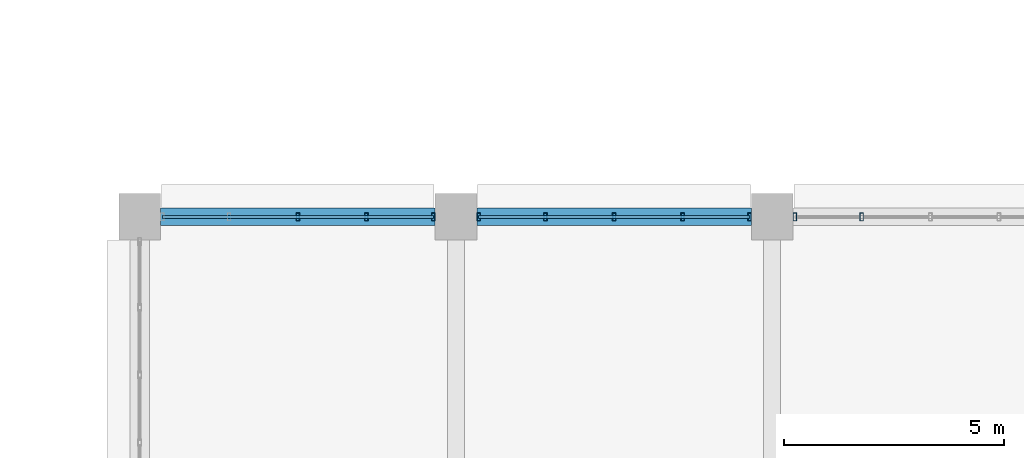
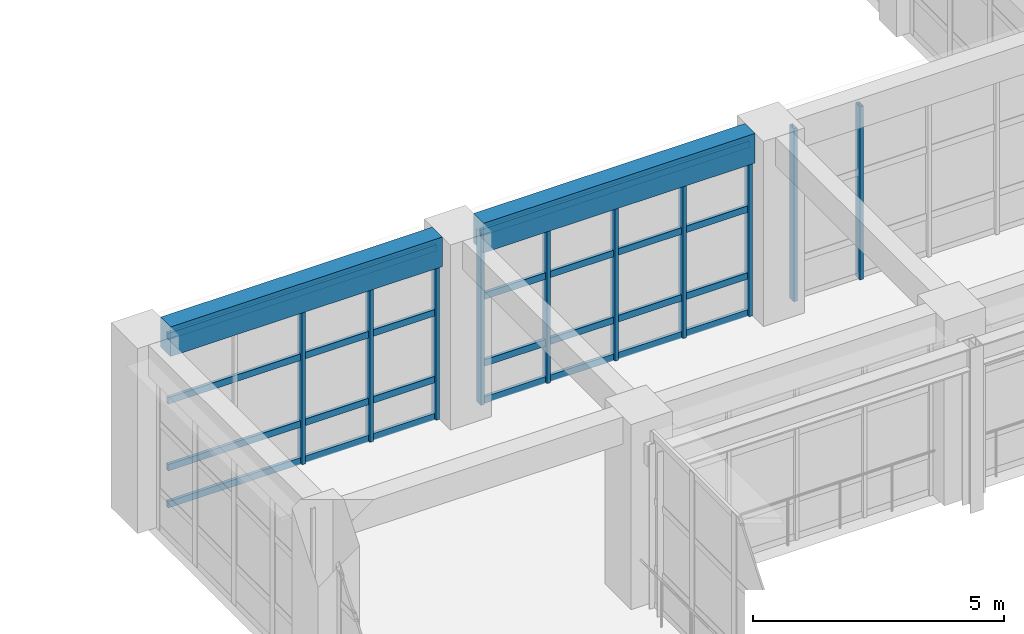
# One storey, part 46 of 171: 18 members, 2 beams, 3 elements without a shape of their own.
"""IFC4 building model written with IfcOpenShell, lengths in metres."""

from ifc_helpers import new_model, si_unit, direction, frame, origin, origin_2d, place, context, subcontext, project, spatial, rectangle, hollow_rectangle, extrude, material, material_profile, profile_set, type_object, element, aggregate, save


model = new_model("IFC4")

# Units and contexts
model_context = context("Model", 3, precision=1e-05, world=origin(), true_north=direction((0.0, 1.0)))
body_context = subcontext(model_context, "Body", "Model", "MODEL_VIEW")
ifc_project = project(units=[si_unit("LENGTHUNIT", "METRE"), si_unit("AREAUNIT", "SQUARE_METRE"), si_unit("VOLUMEUNIT", "CUBIC_METRE"), si_unit("PLANEANGLEUNIT", "RADIAN"), si_unit("MASSUNIT", "GRAM", prefix="KILO")], contexts=[model_context])

# Site, building, storey
site_placement = place(None, origin())
site = spatial("IfcSite", under=ifc_project, at=site_placement, CompositionType="ELEMENT")
building_placement = place(site_placement, origin())
building = spatial("IfcBuilding", under=site, at=building_placement, Name="Thalmaran Polytechnic", CompositionType="ELEMENT")
storey_placement = place(building_placement, frame((0.0, 0.0, 5.39990234375)))
storey = spatial("IfcBuildingStorey", under=building, at=storey_placement, Name="L01", CompositionType="ELEMENT", Elevation=5.39990234375)

# Beams
ifc_material_1 = material(Name="Concrete C40/50", Category="concrete")
ifc_material_profile_1 = material_profile(ifc_material_1, rectangle(XDim=0.39990234375, YDim=0.719970703125, at=origin_2d()), Name="RC 400x720")
ifc_profile_set_1 = profile_set([ifc_material_profile_1], Name="Concrete C40/50")
beam_type = type_object("IfcBeamType", Name="BM-SP01", PredefinedType="SPANDREL", material=ifc_profile_set_1)
for number, where, z_axis, x_axis, name in (
    (1, (108.47509765625, 57.60009765625, 4.14013671875), (1.0, 0.0, 0.0), (0.0, 1.0, 0.0), "Grid Beam SP01 L01 X(15,8)"),
    (2, (115.675048828125, 57.60009765625, 4.14013671875), (1.0, 0.0, 0.0), (0.0, 1.0, 0.0), "Grid Beam SP01 L01 X(16,8)"),
):
    element("IfcBeam", number, at=place(storey_placement, frame(where, z_axis=z_axis, x_axis=x_axis)), inside=storey, type_object=beam_type, Name=name, PredefinedType="SPANDREL", context=body_context, shape_type="SweptSolid", body=[
        extrude(rectangle(XDim=0.39990234375, YDim=0.719970703125, at=origin_2d()), origin(), (0.0, 0.0, 1.0), 6.25),
    ])

# Curtain wall, members
ifc_material_2 = material(Name="Aluminium 6063-T6", Category="aluminium")
curtain_wall_type = type_object("IfcCurtainWallType", Name="CW-UC02", PredefinedType="USERDEFINED", material=ifc_material_2)
curtain_wall_1_placement = place(storey_placement, origin())
curtain_wall_1 = element("IfcCurtainWall", 3, at=curtain_wall_1_placement, inside=storey, type_object=curtain_wall_type, Name="Curtain Wall CW-L01-177", ObjectType="UNITISED CURTAIN WALL", PredefinedType="USERDEFINED")
ifc_material_profile_2 = material_profile(ifc_material_2, hollow_rectangle(XDim=0.080078125, YDim=0.179931640625, WallThickness=0.0048828125, at=origin_2d()), Name="RHS 180x80x5.0")
ifc_profile_set_2 = profile_set([ifc_material_profile_2], Name="Aluminium 6063-T6")
member_type_1 = type_object("IfcMemberType", Name="CW-MUL1", PredefinedType="MULLION", material=ifc_profile_set_2)
member_1_placement = place(storey_placement, frame((111.60009765625, 57.60009765625, 0.0), z_axis=(0.0, 0.0, 1.0), x_axis=(1.0, 0.0, 0.0)))
member_1 = element("IfcMember", 4, at=member_1_placement, type_object=member_type_1, Name="CW-L01-177 Mullion 3", PredefinedType="MULLION", context=body_context, shape_type="SweptSolid", body=[
    extrude(hollow_rectangle(XDim=0.080078125, YDim=0.179931640625, WallThickness=0.0048828125, at=origin_2d()), origin(), (0.0, 0.0, 1.0), 4.210205078125),
])
member_2_placement = place(storey_placement, frame((113.16259765625, 57.60009765625, 0.0), z_axis=(0.0, 0.0, 1.0), x_axis=(1.0, 0.0, 0.0)))
member_2 = element("IfcMember", 5, at=member_2_placement, type_object=member_type_1, Name="CW-L01-177 Mullion 4", PredefinedType="MULLION", context=body_context, shape_type="SweptSolid", body=[
    extrude(hollow_rectangle(XDim=0.080078125, YDim=0.179931640625, WallThickness=0.0048828125, at=origin_2d()), origin(), (0.0, 0.0, 1.0), 4.210205078125),
])
member_3_placement = place(storey_placement, frame((114.68505859375, 57.60009765625, 0.0), z_axis=(0.0, 0.0, 1.0), x_axis=(1.0, 0.0, 0.0)))
member_3 = element("IfcMember", 6, at=member_3_placement, type_object=member_type_1, Name="CW-L01-177 Mullion 5", PredefinedType="MULLION", context=body_context, shape_type="SweptSolid", body=[
    extrude(hollow_rectangle(XDim=0.080078125, YDim=0.179931640625, WallThickness=0.0048828125, at=origin_2d()), origin(), (0.0, 0.0, 1.0), 4.210205078125),
])

curtain_wall_2_placement = place(storey_placement, origin())
curtain_wall_2 = element("IfcCurtainWall", 7, at=curtain_wall_2_placement, inside=storey, type_object=curtain_wall_type, Name="Curtain Wall CW-L01-178", ObjectType="UNITISED CURTAIN WALL", PredefinedType="USERDEFINED")
member_4_placement = place(storey_placement, frame((115.715087890625, 57.60009765625, 0.0), z_axis=(0.0, 0.0, 1.0), x_axis=(1.0, 0.0, 0.0)))
member_4 = element("IfcMember", 8, at=member_4_placement, type_object=member_type_1, Name="CW-L01-178 Mullion 1", PredefinedType="MULLION", context=body_context, shape_type="SweptSolid", body=[
    extrude(hollow_rectangle(XDim=0.080078125, YDim=0.179931640625, WallThickness=0.0048828125, at=origin_2d()), origin(), (0.0, 0.0, 1.0), 4.210205078125),
])
member_5_placement = place(storey_placement, frame((117.237548828125, 57.60009765625, 0.0), z_axis=(0.0, 0.0, 1.0), x_axis=(1.0, 0.0, 0.0)))
member_5 = element("IfcMember", 9, at=member_5_placement, type_object=member_type_1, Name="CW-L01-178 Mullion 2", PredefinedType="MULLION", context=body_context, shape_type="SweptSolid", body=[
    extrude(hollow_rectangle(XDim=0.080078125, YDim=0.179931640625, WallThickness=0.0048828125, at=origin_2d()), origin(), (0.0, 0.0, 1.0), 4.210205078125),
])
member_6_placement = place(storey_placement, frame((118.800048828125, 57.60009765625, 0.0), z_axis=(0.0, 0.0, 1.0), x_axis=(1.0, 0.0, 0.0)))
member_6 = element("IfcMember", 10, at=member_6_placement, type_object=member_type_1, Name="CW-L01-178 Mullion 3", PredefinedType="MULLION", context=body_context, shape_type="SweptSolid", body=[
    extrude(hollow_rectangle(XDim=0.080078125, YDim=0.179931640625, WallThickness=0.0048828125, at=origin_2d()), origin(), (0.0, 0.0, 1.0), 4.210205078125),
])
member_7_placement = place(storey_placement, frame((120.362548828125, 57.60009765625, 0.0), z_axis=(0.0, 0.0, 1.0), x_axis=(1.0, 0.0, 0.0)))
member_7 = element("IfcMember", 11, at=member_7_placement, type_object=member_type_1, Name="CW-L01-178 Mullion 4", PredefinedType="MULLION", context=body_context, shape_type="SweptSolid", body=[
    extrude(hollow_rectangle(XDim=0.080078125, YDim=0.179931640625, WallThickness=0.0048828125, at=origin_2d()), origin(), (0.0, 0.0, 1.0), 4.210205078125),
])
member_8_placement = place(storey_placement, frame((121.885009765625, 57.60009765625, 0.0), z_axis=(0.0, 0.0, 1.0), x_axis=(1.0, 0.0, 0.0)))
member_8 = element("IfcMember", 12, at=member_8_placement, type_object=member_type_1, Name="CW-L01-178 Mullion 5", PredefinedType="MULLION", context=body_context, shape_type="SweptSolid", body=[
    extrude(hollow_rectangle(XDim=0.080078125, YDim=0.179931640625, WallThickness=0.0048828125, at=origin_2d()), origin(), (0.0, 0.0, 1.0), 4.210205078125),
])

curtain_wall_3_placement = place(storey_placement, origin())
curtain_wall_3 = element("IfcCurtainWall", 13, at=curtain_wall_3_placement, inside=storey, type_object=curtain_wall_type, Name="Curtain Wall CW-L01-179", ObjectType="UNITISED CURTAIN WALL", PredefinedType="USERDEFINED")
member_9_placement = place(storey_placement, frame((122.9150390625, 57.60009765625, 0.0), z_axis=(0.0, 0.0, 1.0), x_axis=(1.0, 0.0, 0.0)))
member_9 = element("IfcMember", 14, at=member_9_placement, type_object=member_type_1, Name="CW-L01-179 Mullion 1", PredefinedType="MULLION", context=body_context, shape_type="SweptSolid", body=[
    extrude(hollow_rectangle(XDim=0.080078125, YDim=0.179931640625, WallThickness=0.0048828125, at=origin_2d()), origin(), (0.0, 0.0, 1.0), 4.210205078125),
])
member_10_placement = place(storey_placement, frame((124.4375, 57.60009765625, 0.0), z_axis=(0.0, 0.0, 1.0), x_axis=(1.0, 0.0, 0.0)))
member_10 = element("IfcMember", 15, at=member_10_placement, type_object=member_type_1, Name="CW-L01-179 Mullion 2", PredefinedType="MULLION", context=body_context, shape_type="SweptSolid", body=[
    extrude(hollow_rectangle(XDim=0.080078125, YDim=0.179931640625, WallThickness=0.0048828125, at=origin_2d()), origin(), (0.0, 0.0, 1.0), 4.210205078125),
])
aggregate(curtain_wall_3, [member_9, member_10])

# Member
ifc_material_profile_3 = material_profile(ifc_material_2, hollow_rectangle(XDim=0.070068359375, YDim=0.159912109375, WallThickness=0.00390625, at=origin_2d()), Name="AL 160x70x4.0")
ifc_profile_set_3 = profile_set([ifc_material_profile_3], Name="Aluminium 6063-T6")
member_type_2 = type_object("IfcMemberType", Name="CW-TRN1", PredefinedType="USERDEFINED", material=ifc_profile_set_3)
member_11_placement = place(storey_placement, frame((108.514892578125, 57.60009765625, 0.06005859375), z_axis=(1.0, 0.0, 0.0), x_axis=(0.0, 1.0, 0.0)))
member_11 = element("IfcMember", 16, at=member_11_placement, type_object=member_type_2, Name="CW-L01-177 Transom 1", ObjectType="TRANSOM", PredefinedType="USERDEFINED", context=body_context, shape_type="SweptSolid", body=[
    extrude(hollow_rectangle(XDim=0.070068359375, YDim=0.159912109375, WallThickness=0.00390625, at=origin_2d()), origin(), (0.0, 0.0, 1.0), 6.170166015625),
])

member_12_placement = place(storey_placement, frame((108.514892578125, 57.60009765625, 0.960205078125), z_axis=(1.0, 0.0, 0.0), x_axis=(0.0, 1.0, 0.0)))
member_12 = element("IfcMember", 17, at=member_12_placement, type_object=member_type_2, Name="CW-L01-177 Transom 2", ObjectType="TRANSOM", PredefinedType="USERDEFINED", context=body_context, shape_type="SweptSolid", body=[
    extrude(hollow_rectangle(XDim=0.070068359375, YDim=0.159912109375, WallThickness=0.00390625, at=origin_2d()), origin(), (0.0, 0.0, 1.0), 6.170166015625),
])

member_13_placement = place(storey_placement, frame((108.514892578125, 57.60009765625, 2.585205078125), z_axis=(1.0, 0.0, 0.0), x_axis=(0.0, 1.0, 0.0)))
member_13 = element("IfcMember", 18, at=member_13_placement, type_object=member_type_2, Name="CW-L01-177 Transom 3", ObjectType="TRANSOM", PredefinedType="USERDEFINED", context=body_context, shape_type="SweptSolid", body=[
    extrude(hollow_rectangle(XDim=0.070068359375, YDim=0.159912109375, WallThickness=0.00390625, at=origin_2d()), origin(), (0.0, 0.0, 1.0), 6.170166015625),
])

member_14_placement = place(storey_placement, frame((108.514892578125, 57.60009765625, 4.150146484375), z_axis=(1.0, 0.0, 0.0), x_axis=(0.0, 1.0, 0.0)))
member_14 = element("IfcMember", 19, at=member_14_placement, type_object=member_type_2, Name="CW-L01-177 Transom 4", ObjectType="TRANSOM", PredefinedType="USERDEFINED", context=body_context, shape_type="SweptSolid", body=[
    extrude(hollow_rectangle(XDim=0.070068359375, YDim=0.159912109375, WallThickness=0.00390625, at=origin_2d()), origin(), (0.0, 0.0, 1.0), 6.170166015625),
])

aggregate(curtain_wall_1, [member_1, member_2, member_3, member_11, member_12, member_13, member_14])

member_15_placement = place(storey_placement, frame((115.715087890625, 57.60009765625, 0.06005859375), z_axis=(1.0, 0.0, 0.0), x_axis=(0.0, 1.0, 0.0)))
member_15 = element("IfcMember", 20, at=member_15_placement, type_object=member_type_2, Name="CW-L01-178 Transom 1", ObjectType="TRANSOM", PredefinedType="USERDEFINED", context=body_context, shape_type="SweptSolid", body=[
    extrude(hollow_rectangle(XDim=0.070068359375, YDim=0.159912109375, WallThickness=0.00390625, at=origin_2d()), origin(), (0.0, 0.0, 1.0), 6.169921875),
])

member_16_placement = place(storey_placement, frame((115.715087890625, 57.60009765625, 0.960205078125), z_axis=(1.0, 0.0, 0.0), x_axis=(0.0, 1.0, 0.0)))
member_16 = element("IfcMember", 21, at=member_16_placement, type_object=member_type_2, Name="CW-L01-178 Transom 2", ObjectType="TRANSOM", PredefinedType="USERDEFINED", context=body_context, shape_type="SweptSolid", body=[
    extrude(hollow_rectangle(XDim=0.070068359375, YDim=0.159912109375, WallThickness=0.00390625, at=origin_2d()), origin(), (0.0, 0.0, 1.0), 6.169921875),
])

member_17_placement = place(storey_placement, frame((115.715087890625, 57.60009765625, 2.585205078125), z_axis=(1.0, 0.0, 0.0), x_axis=(0.0, 1.0, 0.0)))
member_17 = element("IfcMember", 22, at=member_17_placement, type_object=member_type_2, Name="CW-L01-178 Transom 3", ObjectType="TRANSOM", PredefinedType="USERDEFINED", context=body_context, shape_type="SweptSolid", body=[
    extrude(hollow_rectangle(XDim=0.070068359375, YDim=0.159912109375, WallThickness=0.00390625, at=origin_2d()), origin(), (0.0, 0.0, 1.0), 6.169921875),
])

member_18_placement = place(storey_placement, frame((115.715087890625, 57.60009765625, 4.150146484375), z_axis=(1.0, 0.0, 0.0), x_axis=(0.0, 1.0, 0.0)))
member_18 = element("IfcMember", 23, at=member_18_placement, type_object=member_type_2, Name="CW-L01-178 Transom 4", ObjectType="TRANSOM", PredefinedType="USERDEFINED", context=body_context, shape_type="SweptSolid", body=[
    extrude(hollow_rectangle(XDim=0.070068359375, YDim=0.159912109375, WallThickness=0.00390625, at=origin_2d()), origin(), (0.0, 0.0, 1.0), 6.169921875),
])

aggregate(curtain_wall_2, [member_4, member_5, member_6, member_7, member_8, member_15, member_16, member_17, member_18])

save(model, "model.ifc")
